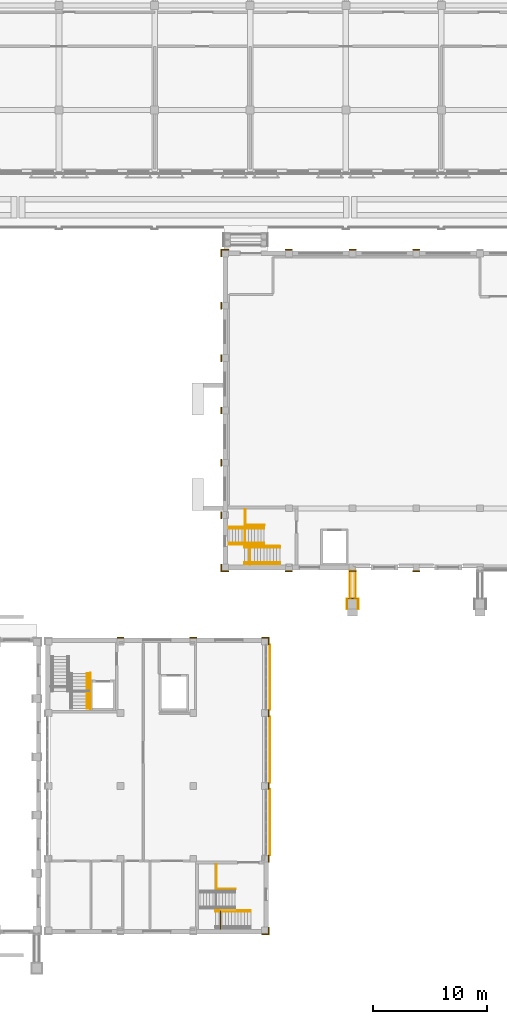
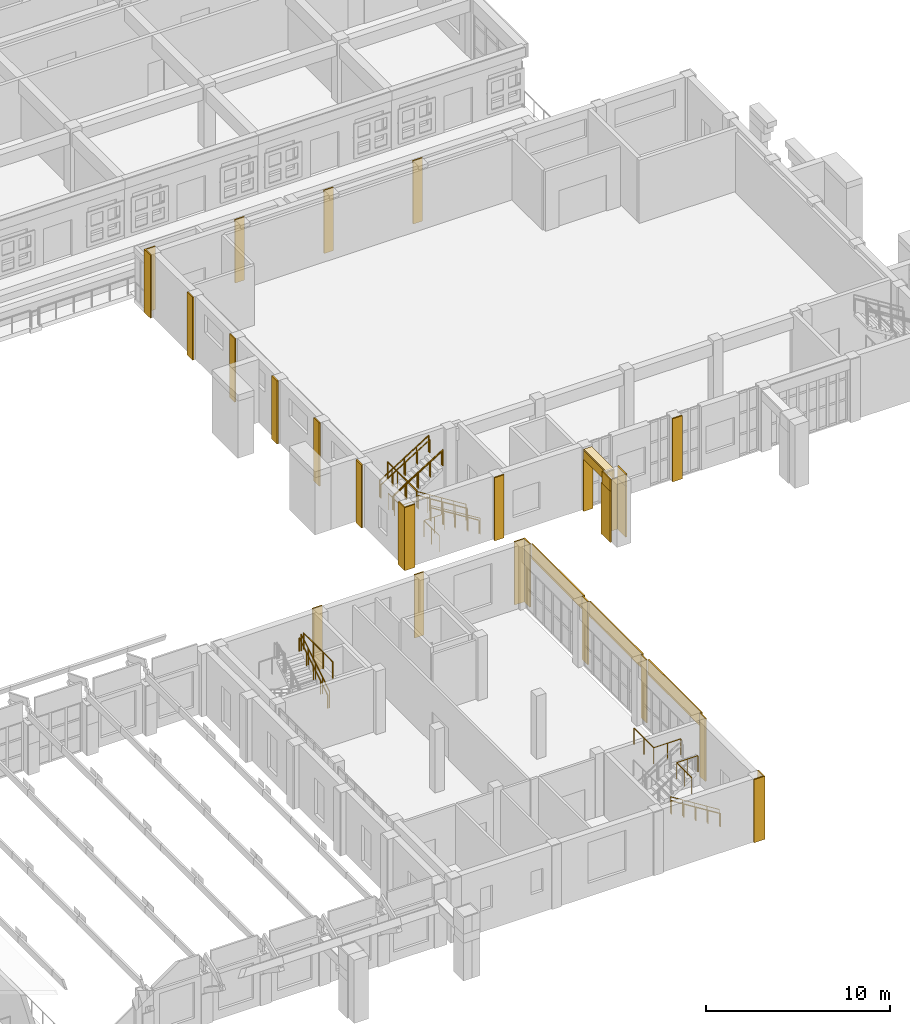
# One storey, part 88 of 99: 29 coverings, 18 railings.
"""IFC4 building model written with IfcOpenShell, lengths in metres."""

from ifc_helpers import new_model, si_unit, direction, frame, origin, origin_2d, place, context, subcontext, project, spatial, polyline, circle, outline, extrude, material, layer, layer_set, type_object, element, save


model = new_model("IFC4")

# Units and contexts
model_context = context("Model", 3, precision=1e-05, world=origin(), true_north=direction((0.0, 1.0)))
body_context = subcontext(model_context, "Body", "Model", "MODEL_VIEW")
ifc_project = project(units=[si_unit("LENGTHUNIT", "METRE"), si_unit("AREAUNIT", "SQUARE_METRE"), si_unit("VOLUMEUNIT", "CUBIC_METRE"), si_unit("PLANEANGLEUNIT", "RADIAN"), si_unit("MASSUNIT", "GRAM", prefix="KILO")], contexts=[model_context])

# Site, building, storey
site_placement = place(None, origin())
site = spatial("IfcSite", under=ifc_project, at=site_placement, CompositionType="ELEMENT")
building_placement = place(site_placement, origin())
building = spatial("IfcBuilding", under=site, at=building_placement, Name="Wasatch Bagh Community Centre", CompositionType="ELEMENT")
storey_placement = place(building_placement, frame((0.0, 0.0, 4.199951171875)))
storey = spatial("IfcBuildingStorey", under=building, at=storey_placement, Name="L01", CompositionType="ELEMENT", Elevation=4.199951171875)

# Coverings
ifc_material_1 = material(Name="Cast stone cladding", Category="masonry")
ifc_layer_1 = layer(ifc_material_1, 0.080078125)
ifc_layer_set_1 = layer_set([ifc_layer_1], Name="Cast stone cladding")
covering_type_1 = type_object("IfcCoveringType", Name="CL-B7 beam facing", PredefinedType="CLADDING", material=ifc_layer_set_1)
covering_1_placement = place(storey_placement, frame((0.0, 0.0, 3.199951171875)))
element("IfcCovering", 1, at=covering_1_placement, inside=storey, type_object=covering_type_1, Name="Beam facing", PredefinedType="CLADDING", context=body_context, shape_type="SweptSolid", body=[
    extrude(outline(polyline([(116.10009765625, 12.89990234375), (116.10009765625, 18.699951171875), (116.179931640625, 18.699951171875), (116.179931640625, 12.89990234375), (116.10009765625, 12.89990234375)])), origin(), (0.0, 0.0, 1.0), 1.0),
])
covering_2_placement = place(storey_placement, frame((0.0, 0.0, 3.199951171875)))
element("IfcCovering", 2, at=covering_2_placement, inside=storey, type_object=covering_type_1, Name="Beam facing", PredefinedType="CLADDING", context=body_context, shape_type="SweptSolid", body=[
    extrude(outline(polyline([(116.10009765625, 19.300048828125), (116.10009765625, 25.10009765625), (116.179931640625, 25.10009765625), (116.179931640625, 19.300048828125), (116.10009765625, 19.300048828125)])), origin(), (0.0, 0.0, 1.0), 1.0),
])
covering_3_placement = place(storey_placement, frame((0.0, 0.0, 3.199951171875)))
element("IfcCovering", 3, at=covering_3_placement, inside=storey, type_object=covering_type_1, Name="Beam facing", PredefinedType="CLADDING", context=body_context, shape_type="SweptSolid", body=[
    extrude(outline(polyline([(116.10009765625, 25.699951171875), (116.10009765625, 31.39990234375), (116.179931640625, 31.39990234375), (116.179931640625, 25.699951171875), (116.10009765625, 25.699951171875)])), origin(), (0.0, 0.0, 1.0), 1.0),
])
covering_4_placement = place(storey_placement, frame((0.0, 0.0, 3.400146484375)))
element("IfcCovering", 4, at=covering_4_placement, inside=storey, type_object=covering_type_1, Name="Beam facing", PredefinedType="CLADDING", context=body_context, shape_type="SweptSolid", body=[
    extrude(outline(polyline([(123.574951171875, 37.89990234375), (123.574951171875, 35.449951171875), (123.655029296875, 35.449951171875), (123.655029296875, 37.89990234375), (123.574951171875, 37.89990234375)])), origin(), (0.0, 0.0, 1.0), 0.599853515625),
])
covering_5_placement = place(storey_placement, frame((0.0, 0.0, 3.400146484375)))
element("IfcCovering", 5, at=covering_5_placement, inside=storey, type_object=covering_type_1, Name="Beam facing", PredefinedType="CLADDING", context=body_context, shape_type="SweptSolid", body=[
    extrude(outline(polyline([(123.22509765625, 37.89990234375), (123.22509765625, 35.449951171875), (123.14501953125, 35.449951171875), (123.14501953125, 37.89990234375), (123.22509765625, 37.89990234375)])), origin(), (0.0, 0.0, 1.0), 0.599853515625),
])
covering_6_placement = place(storey_placement, frame((0.0, 0.0, 4.0)))
element("IfcCovering", 6, at=covering_6_placement, inside=storey, type_object=covering_type_1, Name="Beam facing", PredefinedType="CLADDING", context=body_context, shape_type="SweptSolid", body=[
    extrude(outline(polyline([(123.14501953125, 37.89990234375), (123.14501953125, 35.449951171875), (123.655029296875, 35.449951171875), (123.655029296875, 37.89990234375), (123.14501953125, 37.89990234375)])), origin(), (0.0, 0.0, 1.0), 0.080078125),
])
ifc_layer_2 = layer(ifc_material_1, 0.080078125)
ifc_layer_set_2 = layer_set([ifc_layer_2], Name="Cast stone cladding")
covering_type_2 = type_object("IfcCoveringType", Name="CL-C1 column facing", PredefinedType="CLADDING", material=ifc_layer_set_2)
covering_7_placement = place(storey_placement, origin())
element("IfcCovering", 7, at=covering_7_placement, inside=storey, type_object=covering_type_2, Name="Column facing", PredefinedType="CLADDING", context=body_context, shape_type="SweptSolid", body=[
    extrude(outline(polyline([(122.8701171875, 34.550048828125), (122.8701171875, 35.530029296875), (123.929931640625, 35.530029296875), (123.929931640625, 34.550048828125), (123.85009765625, 34.550048828125), (123.85009765625, 35.449951171875), (122.949951171875, 35.449951171875), (122.949951171875, 34.550048828125), (122.8701171875, 34.550048828125)])), origin(), (0.0, 0.0, 1.0), 3.400146484375),
])
covering_8_placement = place(storey_placement, frame((0.0, 0.0, 3.400146484375)))
element("IfcCovering", 8, at=covering_8_placement, inside=storey, type_object=covering_type_2, Name="Column facing", PredefinedType="CLADDING", context=body_context, shape_type="SweptSolid", body=[
    extrude(outline(polyline([(123.85009765625, 35.449951171875), (123.929931640625, 35.449951171875), (123.929931640625, 34.550048828125), (123.85009765625, 34.550048828125), (123.85009765625, 35.449951171875)])), origin(), (0.0, 0.0, 1.0), 0.7998046875),
])
covering_9_placement = place(storey_placement, frame((0.0, 0.0, 3.400146484375)))
element("IfcCovering", 9, at=covering_9_placement, inside=storey, type_object=covering_type_2, Name="Column facing", PredefinedType="CLADDING", context=body_context, shape_type="SweptSolid", body=[
    extrude(outline(polyline([(122.949951171875, 34.550048828125), (122.8701171875, 34.550048828125), (122.8701171875, 35.449951171875), (122.949951171875, 35.449951171875), (122.949951171875, 34.550048828125)])), origin(), (0.0, 0.0, 1.0), 0.7998046875),
])
covering_10_placement = place(storey_placement, origin())
element("IfcCovering", 10, at=covering_10_placement, inside=storey, type_object=covering_type_2, Name="Column facing", PredefinedType="CLADDING", context=body_context, shape_type="SweptSolid", body=[
    extrude(outline(polyline([(103.300048828125, 32.0), (102.699951171875, 32.0), (102.699951171875, 32.080078125), (103.300048828125, 32.080078125), (103.300048828125, 32.0)])), origin(), (0.0, 0.0, 1.0), 4.199951171875),
])
covering_11_placement = place(storey_placement, origin())
element("IfcCovering", 11, at=covering_11_placement, inside=storey, type_object=covering_type_2, Name="Column facing", PredefinedType="CLADDING", context=body_context, shape_type="SweptSolid", body=[
    extrude(outline(polyline([(109.699951171875, 32.0), (109.10009765625, 32.0), (109.10009765625, 32.080078125), (109.699951171875, 32.080078125), (109.699951171875, 32.0)])), origin(), (0.0, 0.0, 1.0), 4.199951171875),
])
covering_12_placement = place(storey_placement, origin())
element("IfcCovering", 12, at=covering_12_placement, inside=storey, type_object=covering_type_2, Name="Column facing", PredefinedType="CLADDING", context=body_context, shape_type="SweptSolid", body=[
    extrude(outline(polyline([(116.0, 6.0), (116.0, 6.60009765625), (116.080078125, 6.60009765625), (116.080078125, 5.919921875), (115.39990234375, 5.919921875), (115.39990234375, 6.0), (116.0, 6.0)])), origin(), (0.0, 0.0, 1.0), 4.199951171875),
])
covering_13_placement = place(storey_placement, origin())
element("IfcCovering", 13, at=covering_13_placement, inside=storey, type_object=covering_type_2, Name="Column facing", PredefinedType="CLADDING", context=body_context, shape_type="SweptSolid", body=[
    extrude(outline(polyline([(116.0, 12.300048828125), (116.0, 12.89990234375), (116.080078125, 12.89990234375), (116.080078125, 12.300048828125), (116.0, 12.300048828125)])), origin(), (0.0, 0.0, 1.0), 4.199951171875),
])
covering_14_placement = place(storey_placement, origin())
element("IfcCovering", 14, at=covering_14_placement, inside=storey, type_object=covering_type_2, Name="Column facing", PredefinedType="CLADDING", context=body_context, shape_type="SweptSolid", body=[
    extrude(outline(polyline([(116.0, 18.699951171875), (116.0, 19.300048828125), (116.080078125, 19.300048828125), (116.080078125, 18.699951171875), (116.0, 18.699951171875)])), origin(), (0.0, 0.0, 1.0), 4.199951171875),
])
covering_15_placement = place(storey_placement, origin())
element("IfcCovering", 15, at=covering_15_placement, inside=storey, type_object=covering_type_2, Name="Column facing", PredefinedType="CLADDING", context=body_context, shape_type="SweptSolid", body=[
    extrude(outline(polyline([(116.0, 25.10009765625), (116.0, 25.699951171875), (116.080078125, 25.699951171875), (116.080078125, 25.10009765625), (116.0, 25.10009765625)])), origin(), (0.0, 0.0, 1.0), 4.199951171875),
])
covering_16_placement = place(storey_placement, origin())
element("IfcCovering", 16, at=covering_16_placement, inside=storey, type_object=covering_type_2, Name="Column facing", PredefinedType="CLADDING", context=body_context, shape_type="SweptSolid", body=[
    extrude(outline(polyline([(116.0, 32.0), (115.39990234375, 32.0), (115.39990234375, 32.080078125), (116.080078125, 32.080078125), (116.080078125, 31.39990234375), (116.0, 31.39990234375), (116.0, 32.0)])), origin(), (0.0, 0.0, 1.0), 4.199951171875),
])
covering_17_placement = place(storey_placement, origin())
element("IfcCovering", 17, at=covering_17_placement, inside=storey, type_object=covering_type_2, Name="Column facing", PredefinedType="CLADDING", context=body_context, shape_type="SweptSolid", body=[
    extrude(outline(polyline([(111.820068359375, 37.820068359375), (111.820068359375, 38.5), (111.89990234375, 38.5), (111.89990234375, 37.89990234375), (112.5, 37.89990234375), (112.5, 37.820068359375), (111.820068359375, 37.820068359375)])), origin(), (0.0, 0.0, 1.0), 4.199951171875),
])
covering_18_placement = place(storey_placement, origin())
element("IfcCovering", 18, at=covering_18_placement, inside=storey, type_object=covering_type_2, Name="Column facing", PredefinedType="CLADDING", context=body_context, shape_type="SweptSolid", body=[
    extrude(outline(polyline([(117.5, 37.89990234375), (118.10009765625, 37.89990234375), (118.10009765625, 37.820068359375), (117.5, 37.820068359375), (117.5, 37.89990234375)])), origin(), (0.0, 0.0, 1.0), 4.199951171875),
])
covering_19_placement = place(storey_placement, origin())
element("IfcCovering", 19, at=covering_19_placement, inside=storey, type_object=covering_type_2, Name="Column facing", PredefinedType="CLADDING", context=body_context, shape_type="SweptSolid", body=[
    extrude(outline(polyline([(123.10009765625, 37.89990234375), (123.699951171875, 37.89990234375), (123.699951171875, 37.820068359375), (123.10009765625, 37.820068359375), (123.10009765625, 37.89990234375)])), origin(), (0.0, 0.0, 1.0), 3.400146484375),
])
covering_20_placement = place(storey_placement, origin())
element("IfcCovering", 20, at=covering_20_placement, inside=storey, type_object=covering_type_2, Name="Column facing", PredefinedType="CLADDING", context=body_context, shape_type="SweptSolid", body=[
    extrude(outline(polyline([(128.699951171875, 37.89990234375), (129.300048828125, 37.89990234375), (129.300048828125, 37.820068359375), (128.699951171875, 37.820068359375), (128.699951171875, 37.89990234375)])), origin(), (0.0, 0.0, 1.0), 4.199951171875),
])
covering_21_placement = place(storey_placement, frame((0.0, 0.0, 0.008056640625)))
element("IfcCovering", 21, at=covering_21_placement, inside=storey, type_object=covering_type_2, Name="Column facing", PredefinedType="CLADDING", context=body_context, shape_type="SweptSolid", body=[
    extrude(outline(polyline([(111.89990234375, 65.5), (111.820068359375, 65.5), (111.820068359375, 66.179931640625), (112.5, 66.179931640625), (112.5, 66.10009765625), (111.89990234375, 66.10009765625), (111.89990234375, 65.5)])), origin(), (0.0, 0.0, 1.0), 4.19189453125),
])
covering_22_placement = place(storey_placement, origin())
element("IfcCovering", 22, at=covering_22_placement, inside=storey, type_object=covering_type_2, Name="Column facing", PredefinedType="CLADDING", context=body_context, shape_type="SweptSolid", body=[
    extrude(outline(polyline([(118.10009765625, 66.10009765625), (117.5, 66.10009765625), (117.5, 66.179931640625), (118.10009765625, 66.179931640625), (118.10009765625, 66.10009765625)])), origin(), (0.0, 0.0, 1.0), 4.199951171875),
])
covering_23_placement = place(storey_placement, origin())
element("IfcCovering", 23, at=covering_23_placement, inside=storey, type_object=covering_type_2, Name="Column facing", PredefinedType="CLADDING", context=body_context, shape_type="SweptSolid", body=[
    extrude(outline(polyline([(123.699951171875, 66.10009765625), (123.10009765625, 66.10009765625), (123.10009765625, 66.179931640625), (123.699951171875, 66.179931640625), (123.699951171875, 66.10009765625)])), origin(), (0.0, 0.0, 1.0), 4.199951171875),
])
covering_24_placement = place(storey_placement, origin())
element("IfcCovering", 24, at=covering_24_placement, inside=storey, type_object=covering_type_2, Name="Column facing", PredefinedType="CLADDING", context=body_context, shape_type="SweptSolid", body=[
    extrude(outline(polyline([(129.300048828125, 66.10009765625), (128.699951171875, 66.10009765625), (128.699951171875, 66.179931640625), (129.300048828125, 66.179931640625), (129.300048828125, 66.10009765625)])), origin(), (0.0, 0.0, 1.0), 4.199951171875),
])
covering_25_placement = place(storey_placement, origin())
element("IfcCovering", 25, at=covering_25_placement, inside=storey, type_object=covering_type_2, Name="Column facing", PredefinedType="CLADDING", context=body_context, shape_type="SweptSolid", body=[
    extrude(outline(polyline([(111.89990234375, 43.10009765625), (111.89990234375, 42.5), (111.820068359375, 42.5), (111.820068359375, 43.10009765625), (111.89990234375, 43.10009765625)])), origin(), (0.0, 0.0, 1.0), 4.199951171875),
])
covering_26_placement = place(storey_placement, origin())
element("IfcCovering", 26, at=covering_26_placement, inside=storey, type_object=covering_type_2, Name="Column facing", PredefinedType="CLADDING", context=body_context, shape_type="SweptSolid", body=[
    extrude(outline(polyline([(111.89990234375, 47.699951171875), (111.89990234375, 47.10009765625), (111.820068359375, 47.10009765625), (111.820068359375, 47.699951171875), (111.89990234375, 47.699951171875)])), origin(), (0.0, 0.0, 1.0), 4.199951171875),
])
covering_27_placement = place(storey_placement, origin())
element("IfcCovering", 27, at=covering_27_placement, inside=storey, type_object=covering_type_2, Name="Column facing", PredefinedType="CLADDING", context=body_context, shape_type="SweptSolid", body=[
    extrude(outline(polyline([(111.89990234375, 52.300048828125), (111.89990234375, 51.699951171875), (111.820068359375, 51.699951171875), (111.820068359375, 52.300048828125), (111.89990234375, 52.300048828125)])), origin(), (0.0, 0.0, 1.0), 4.199951171875),
])
covering_28_placement = place(storey_placement, origin())
element("IfcCovering", 28, at=covering_28_placement, inside=storey, type_object=covering_type_2, Name="Column facing", PredefinedType="CLADDING", context=body_context, shape_type="SweptSolid", body=[
    extrude(outline(polyline([(111.89990234375, 56.89990234375), (111.89990234375, 56.300048828125), (111.820068359375, 56.300048828125), (111.820068359375, 56.89990234375), (111.89990234375, 56.89990234375)])), origin(), (0.0, 0.0, 1.0), 4.199951171875),
])
covering_29_placement = place(storey_placement, origin())
element("IfcCovering", 29, at=covering_29_placement, inside=storey, type_object=covering_type_2, Name="Column facing", PredefinedType="CLADDING", context=body_context, shape_type="SweptSolid", body=[
    extrude(outline(polyline([(111.89990234375, 61.5), (111.89990234375, 60.89990234375), (111.820068359375, 60.89990234375), (111.820068359375, 61.5), (111.89990234375, 61.5)])), origin(), (0.0, 0.0, 1.0), 4.199951171875),
])

# Railings
ifc_material_2 = material(Name="ASTM A36 steel", Category="steel")
railing_type_1 = type_object("IfcRailingType", Name="KW guard", PredefinedType="GUARDRAIL", material=ifc_material_2)
railing_1_placement = place(storey_placement, frame((100.169921875, 25.800048828125, 2.275146484375)))
element("IfcRailing", 30, at=railing_1_placement, inside=storey, type_object=railing_type_1, Name="GUARD ST4", PredefinedType="GUARDRAIL", context=body_context, shape_type="SweptSolid", body=[
    extrude(circle(Radius=0.02392578125, at=origin_2d()), frame((0.0, 0.0, 1.076171875), z_axis=(0.0, 0.848009633417, 0.529980812513), x_axis=(-1.0, 0.0, 0.0)), (0.0, 0.0, 1.0), 3.6318359375),
    extrude(circle(Radius=0.02099609375, at=origin_2d()), origin(), (0.0, 0.0, 1.0), 1.052001953125),
    extrude(circle(Radius=0.02099609375, at=origin_2d()), frame((0.0, 0.77001953125, 0.481201171875)), (0.0, 0.0, 1.0), 1.052001953125),
    extrude(circle(Radius=0.02099609375, at=origin_2d()), frame((0.0, 1.5400390625, 0.96240234375)), (0.0, 0.0, 1.0), 1.052001953125),
    extrude(circle(Radius=0.02099609375, at=origin_2d()), frame((0.0, 2.309814453125, 1.443603515625)), (0.0, 0.0, 1.0), 1.052001953125),
    extrude(circle(Radius=0.02099609375, at=origin_2d()), frame((0.0, 3.079833984375, 1.9248046875)), (0.0, 0.0, 1.0), 1.052001953125),
])
railing_2_placement = place(storey_placement, frame((100.35009765625, 28.929931640625, 4.199951171875)))
element("IfcRailing", 31, at=railing_2_placement, inside=storey, type_object=railing_type_1, Name="GUARD ST4", PredefinedType="GUARDRAIL", context=body_context, shape_type="SweptSolid", body=[
    extrude(circle(Radius=0.02392578125, at=origin_2d()), frame((0.0, 0.0, 1.076171875), z_axis=(0.0, -1.0, 0.0), x_axis=(1.0, 0.0, 0.0)), (0.0, 0.0, 1.0), 3.179931640625),
    extrude(circle(Radius=0.02099609375, at=origin_2d()), origin(), (0.0, 0.0, 1.0), 1.052001953125),
    extrude(circle(Radius=0.02099609375, at=origin_2d()), frame((0.0, -1.06005859375, 0.0)), (0.0, 0.0, 1.0), 1.052001953125),
    extrude(circle(Radius=0.02099609375, at=origin_2d()), frame((0.0, -2.119873046875, 0.0)), (0.0, 0.0, 1.0), 1.052001953125),
    extrude(circle(Radius=0.02099609375, at=origin_2d()), frame((0.0, -3.179931640625, 0.0)), (0.0, 0.0, 1.0), 1.052001953125),
])
railing_3_placement = place(storey_placement, frame((114.449951171875, 8.070068359375, 0.175048828125)))
element("IfcRailing", 32, at=railing_3_placement, inside=storey, type_object=railing_type_1, Name="GUARD ST5", PredefinedType="GUARDRAIL", context=body_context, shape_type="SweptSolid", body=[
    extrude(circle(Radius=0.02392578125, at=origin_2d()), frame((0.0, 0.0, 1.076171875), z_axis=(-0.847979421464, 0.0, 0.530029150871), x_axis=(0.0, -1.0, 0.0)), (0.0, 0.0, 1.0), 3.632080078125),
    extrude(circle(Radius=0.02099609375, at=origin_2d()), origin(), (0.0, 0.0, 1.0), 1.052001953125),
    extrude(circle(Radius=0.02099609375, at=origin_2d()), frame((-0.77001953125, 0.0, 0.481201171875)), (0.0, 0.0, 1.0), 1.052001953125),
    extrude(circle(Radius=0.02099609375, at=origin_2d()), frame((-1.5400390625, 0.0, 0.96240234375)), (0.0, 0.0, 1.0), 1.052001953125),
    extrude(circle(Radius=0.02099609375, at=origin_2d()), frame((-2.309814453125, 0.0, 1.44384765625)), (0.0, 0.0, 1.0), 1.052001953125),
    extrude(circle(Radius=0.02099609375, at=origin_2d()), frame((-3.079833984375, 0.0, 1.925048828125)), (0.0, 0.0, 1.0), 1.052001953125),
])
railing_4_placement = place(storey_placement, frame((111.7880859375, 6.449951171875, 4.199951171875)))
element("IfcRailing", 33, at=railing_4_placement, inside=storey, type_object=railing_type_1, Name="GUARD ST5", PredefinedType="GUARDRAIL", context=body_context, shape_type="SweptSolid", body=[
    extrude(circle(Radius=0.02392578125, at=origin_2d()), frame((0.0, 0.0, 1.076171875), z_axis=(0.0, 1.0, 0.0), x_axis=(-1.0, 0.0, 0.0)), (0.0, 0.0, 1.0), 1.650146484375),
    extrude(circle(Radius=0.02392578125, at=origin_2d()), frame((0.0, 1.650146484375, 1.076171875), z_axis=(1.0, 0.0, 0.0), x_axis=(0.0, 1.0, 0.0)), (0.0, 0.0, 1.0), 1.341796875),
    extrude(circle(Radius=0.02099609375, at=origin_2d()), origin(), (0.0, 0.0, 1.0), 1.052001953125),
    extrude(circle(Radius=0.02099609375, at=origin_2d()), frame((0.0, 0.8251953125, 0.0)), (0.0, 0.0, 1.0), 1.052001953125),
    extrude(circle(Radius=0.02099609375, at=origin_2d()), frame((0.0, 1.650146484375, 0.0)), (0.0, 0.0, 1.0), 1.052001953125),
    extrude(circle(Radius=0.02099609375, at=origin_2d()), frame((0.6708984375, 1.650146484375, 0.0)), (0.0, 0.0, 1.0), 1.052001953125),
    extrude(circle(Radius=0.02099609375, at=origin_2d()), frame((1.341796875, 1.650146484375, 0.0)), (0.0, 0.0, 1.0), 1.052001953125),
])
railing_5_placement = place(storey_placement, frame((111.419921875, 12.10009765625, 4.199951171875)))
element("IfcRailing", 34, at=railing_5_placement, inside=storey, type_object=railing_type_1, Name="GUARD ST5", PredefinedType="GUARDRAIL", context=body_context, shape_type="SweptSolid", body=[
    extrude(circle(Radius=0.02392578125, at=origin_2d()), frame((0.0, 0.0, 1.076171875), z_axis=(0.0, -1.0, 0.0), x_axis=(1.0, 0.0, 0.0)), (0.0, 0.0, 1.0), 2.150146484375),
    extrude(circle(Radius=0.02392578125, at=origin_2d()), frame((0.0, -2.150146484375, 1.076171875), z_axis=(1.0, 0.0, 0.0), x_axis=(0.0, 1.0, 0.0)), (0.0, 0.0, 1.0), 1.7099609375),
    extrude(circle(Radius=0.02099609375, at=origin_2d()), origin(), (0.0, 0.0, 1.0), 1.052001953125),
    extrude(circle(Radius=0.02099609375, at=origin_2d()), frame((0.0, -1.0751953125, 0.0)), (0.0, 0.0, 1.0), 1.052001953125),
    extrude(circle(Radius=0.02099609375, at=origin_2d()), frame((0.0, -2.150146484375, 0.0)), (0.0, 0.0, 1.0), 1.052001953125),
    extrude(circle(Radius=0.02099609375, at=origin_2d()), frame((0.85498046875, -2.150146484375, 0.0)), (0.0, 0.0, 1.0), 1.052001953125),
    extrude(circle(Radius=0.02099609375, at=origin_2d()), frame((1.7099609375, -2.150146484375, 0.0)), (0.0, 0.0, 1.0), 1.052001953125),
])
railing_type_2 = type_object("IfcRailingType", Name="KW handrail", PredefinedType="HANDRAIL", material=ifc_material_2)
railing_6_placement = place(storey_placement, frame((100.050048828125, 25.800048828125, 2.275146484375)))
element("IfcRailing", 35, at=railing_6_placement, inside=storey, type_object=railing_type_2, Name="HANDRAIL ST4", PredefinedType="HANDRAIL", context=body_context, shape_type="SweptSolid", body=[
    extrude(circle(Radius=0.02392578125, at=origin_2d()), frame((0.0, 0.0, 0.8759765625), z_axis=(0.0, 0.848009633417, 0.529980812513), x_axis=(-1.0, 0.0, 0.0)), (0.0, 0.0, 1.0), 3.6318359375),
    extrude(circle(Radius=0.02099609375, at=origin_2d()), origin(), (0.0, 0.0, 1.0), 0.851806640625),
    extrude(circle(Radius=0.02099609375, at=origin_2d()), frame((0.0, 0.77001953125, 0.481201171875)), (0.0, 0.0, 1.0), 0.851806640625),
    extrude(circle(Radius=0.02099609375, at=origin_2d()), frame((0.0, 1.5400390625, 0.96240234375)), (0.0, 0.0, 1.0), 0.851806640625),
    extrude(circle(Radius=0.02099609375, at=origin_2d()), frame((0.0, 2.309814453125, 1.443603515625)), (0.0, 0.0, 1.0), 0.851806640625),
    extrude(circle(Radius=0.02099609375, at=origin_2d()), frame((0.0, 3.079833984375, 1.9248046875)), (0.0, 0.0, 1.0), 0.851806640625),
])
railing_7_placement = place(storey_placement, frame((114.449951171875, 7.949951171875, 0.175048828125)))
element("IfcRailing", 36, at=railing_7_placement, inside=storey, type_object=railing_type_2, Name="HANDRAIL ST5", PredefinedType="HANDRAIL", context=body_context, shape_type="SweptSolid", body=[
    extrude(circle(Radius=0.02392578125, at=origin_2d()), frame((0.0, 0.0, 0.8759765625), z_axis=(-0.847979421464, 0.0, 0.530029150871), x_axis=(0.0, -1.0, 0.0)), (0.0, 0.0, 1.0), 3.632080078125),
    extrude(circle(Radius=0.02099609375, at=origin_2d()), origin(), (0.0, 0.0, 1.0), 0.851806640625),
    extrude(circle(Radius=0.02099609375, at=origin_2d()), frame((-0.77001953125, 0.0, 0.481201171875)), (0.0, 0.0, 1.0), 0.851806640625),
    extrude(circle(Radius=0.02099609375, at=origin_2d()), frame((-1.5400390625, 0.0, 0.96240234375)), (0.0, 0.0, 1.0), 0.851806640625),
    extrude(circle(Radius=0.02099609375, at=origin_2d()), frame((-2.309814453125, 0.0, 1.44384765625)), (0.0, 0.0, 1.0), 0.851806640625),
    extrude(circle(Radius=0.02099609375, at=origin_2d()), frame((-3.079833984375, 0.0, 1.925048828125)), (0.0, 0.0, 1.0), 0.851806640625),
])
railing_type_3 = type_object("IfcRailingType", Name="SH guard", PredefinedType="GUARDRAIL", material=ifc_material_2)
railing_8_placement = place(storey_placement, frame((114.3701171875, 38.449951171875, 0.0)))
element("IfcRailing", 37, at=railing_8_placement, inside=storey, type_object=railing_type_3, Name="GUARD ST1", PredefinedType="GUARDRAIL", context=body_context, shape_type="SweptSolid", body=[
    extrude(circle(Radius=0.02392578125, at=origin_2d()), frame((0.0, 0.0, 1.076171875), z_axis=(0.0, 1.0, 0.0), x_axis=(-1.0, 0.0, 0.0)), (0.0, 0.0, 1.0), 1.650146484375),
    extrude(circle(Radius=0.02392578125, at=origin_2d()), frame((0.0, 1.650146484375, 1.076171875), z_axis=(1.0, 0.0, 0.0), x_axis=(0.0, 1.0, 0.0)), (0.0, 0.0, 1.0), 1.309814453125),
    extrude(circle(Radius=0.02099609375, at=origin_2d()), origin(), (0.0, 0.0, 1.0), 1.052001953125),
    extrude(circle(Radius=0.02099609375, at=origin_2d()), frame((0.0, 0.8251953125, 0.0)), (0.0, 0.0, 1.0), 1.052001953125),
    extrude(circle(Radius=0.02099609375, at=origin_2d()), frame((0.0, 1.650146484375, 0.0)), (0.0, 0.0, 1.0), 1.052001953125),
    extrude(circle(Radius=0.02099609375, at=origin_2d()), frame((0.65478515625, 1.650146484375, 0.0)), (0.0, 0.0, 1.0), 1.052001953125),
    extrude(circle(Radius=0.02099609375, at=origin_2d()), frame((1.309814453125, 1.650146484375, 0.0)), (0.0, 0.0, 1.0), 1.052001953125),
])
railing_9_placement = place(storey_placement, frame((113.969970703125, 43.300048828125, 0.0)))
element("IfcRailing", 38, at=railing_9_placement, inside=storey, type_object=railing_type_3, Name="GUARD ST1", PredefinedType="GUARDRAIL", context=body_context, shape_type="SweptSolid", body=[
    extrude(circle(Radius=0.02392578125, at=origin_2d()), frame((0.0, 0.0, 1.076171875), z_axis=(0.0, -1.0, 0.0), x_axis=(1.0, 0.0, 0.0)), (0.0, 0.0, 1.0), 1.35009765625),
    extrude(circle(Radius=0.02392578125, at=origin_2d()), frame((0.0, -1.35009765625, 1.076171875), z_axis=(1.0, 0.0, 0.0), x_axis=(0.0, 1.0, 0.0)), (0.0, 0.0, 1.0), 1.7099609375),
    extrude(circle(Radius=0.02099609375, at=origin_2d()), origin(), (0.0, 0.0, 1.0), 1.052001953125),
    extrude(circle(Radius=0.02099609375, at=origin_2d()), frame((0.0, -0.675048828125, 0.0)), (0.0, 0.0, 1.0), 1.052001953125),
    extrude(circle(Radius=0.02099609375, at=origin_2d()), frame((0.0, -1.35009765625, 0.0)), (0.0, 0.0, 1.0), 1.052001953125),
    extrude(circle(Radius=0.02099609375, at=origin_2d()), frame((0.85498046875, -1.35009765625, 0.0)), (0.0, 0.0, 1.0), 1.052001953125),
    extrude(circle(Radius=0.02099609375, at=origin_2d()), frame((1.7099609375, -1.35009765625, 0.0)), (0.0, 0.0, 1.0), 1.052001953125),
])
for number, where, name in (
    (39, (117.0, 38.530029296875, 0.175048828125), "GUARD ST1"),
    (40, (117.0, 40.070068359375, 0.175048828125), "GUARD ST1"),
):
    element("IfcRailing", number, at=place(storey_placement, frame(where)), inside=storey, type_object=railing_type_3, Name=name, PredefinedType="GUARDRAIL", context=body_context, shape_type="SweptSolid", body=[
        extrude(circle(Radius=0.02392578125, at=origin_2d()), frame((0.0, 0.0, 1.076171875), z_axis=(-0.847998304005, 0.0, 0.529998940003), x_axis=(0.0, -1.0, 0.0)), (0.0, 0.0, 1.0), 3.632080078125),
        extrude(circle(Radius=0.02099609375, at=origin_2d()), origin(), (0.0, 0.0, 1.0), 1.052001953125),
        extrude(circle(Radius=0.02099609375, at=origin_2d()), frame((-0.77001953125, 0.0, 0.481201171875)), (0.0, 0.0, 1.0), 1.052001953125),
        extrude(circle(Radius=0.02099609375, at=origin_2d()), frame((-1.5400390625, 0.0, 0.96240234375)), (0.0, 0.0, 1.0), 1.052001953125),
        extrude(circle(Radius=0.02099609375, at=origin_2d()), frame((-2.31005859375, 0.0, 1.44384765625)), (0.0, 0.0, 1.0), 1.052001953125),
        extrude(circle(Radius=0.02099609375, at=origin_2d()), frame((-3.080078125, 0.0, 1.925048828125)), (0.0, 0.0, 1.0), 1.052001953125),
    ])
for number, where, name in (
    (41, (112.550048828125, 41.77001953125, 2.275146484375), "GUARD ST1"),
    (42, (112.550048828125, 40.22998046875, 2.275146484375), "GUARD ST1"),
):
    element("IfcRailing", number, at=place(storey_placement, frame(where)), inside=storey, type_object=railing_type_3, Name=name, PredefinedType="GUARDRAIL", context=body_context, shape_type="SweptSolid", body=[
        extrude(circle(Radius=0.02392578125, at=origin_2d()), frame((0.0, 0.0, 1.076171875), z_axis=(0.848009633417, 0.0, 0.529980812513), x_axis=(0.0, 1.0, 0.0)), (0.0, 0.0, 1.0), 3.6318359375),
        extrude(circle(Radius=0.02099609375, at=origin_2d()), origin(), (0.0, 0.0, 1.0), 1.052001953125),
        extrude(circle(Radius=0.02099609375, at=origin_2d()), frame((0.77001953125, 0.0, 0.481201171875)), (0.0, 0.0, 1.0), 1.052001953125),
        extrude(circle(Radius=0.02099609375, at=origin_2d()), frame((1.5400390625, 0.0, 0.96240234375)), (0.0, 0.0, 1.0), 1.052001953125),
        extrude(circle(Radius=0.02099609375, at=origin_2d()), frame((2.309814453125, 0.0, 1.443603515625)), (0.0, 0.0, 1.0), 1.052001953125),
        extrude(circle(Radius=0.02099609375, at=origin_2d()), frame((3.079833984375, 0.0, 1.9248046875)), (0.0, 0.0, 1.0), 1.052001953125),
    ])
railing_10_placement = place(storey_placement, frame((113.93994140625, 40.14990234375, 2.10009765625)))
element("IfcRailing", 43, at=railing_10_placement, inside=storey, type_object=railing_type_3, Name="GUARD ST1", PredefinedType="GUARDRAIL", context=body_context, shape_type="SweptSolid", body=[
    extrude(circle(Radius=0.02392578125, at=origin_2d()), frame((0.0, 0.0, 1.076171875), z_axis=(0.0, 1.0, 0.0), x_axis=(-1.0, 0.0, 0.0)), (0.0, 0.0, 1.0), 3.150146484375),
    extrude(circle(Radius=0.02099609375, at=origin_2d()), origin(), (0.0, 0.0, 1.0), 1.052001953125),
    extrude(circle(Radius=0.02099609375, at=origin_2d()), frame((0.0, 1.050048828125, 0.0)), (0.0, 0.0, 1.0), 1.052001953125),
    extrude(circle(Radius=0.02099609375, at=origin_2d()), frame((0.0, 2.10009765625, 0.0)), (0.0, 0.0, 1.0), 1.052001953125),
    extrude(circle(Radius=0.02099609375, at=origin_2d()), frame((0.0, 3.150146484375, 0.0)), (0.0, 0.0, 1.0), 1.052001953125),
])
railing_type_4 = type_object("IfcRailingType", Name="SH handrail", PredefinedType="HANDRAIL", material=ifc_material_2)
for number, where, name in (
    (44, (117.0, 38.64990234375, 0.175048828125), "HANDRAIL ST1"),
    (45, (117.0, 39.949951171875, 0.175048828125), "HANDRAIL ST1"),
):
    element("IfcRailing", number, at=place(storey_placement, frame(where)), inside=storey, type_object=railing_type_4, Name=name, PredefinedType="HANDRAIL", context=body_context, shape_type="SweptSolid", body=[
        extrude(circle(Radius=0.02392578125, at=origin_2d()), frame((0.0, 0.0, 0.8759765625), z_axis=(-0.847998304005, 0.0, 0.529998940003), x_axis=(0.0, -1.0, 0.0)), (0.0, 0.0, 1.0), 3.632080078125),
        extrude(circle(Radius=0.02099609375, at=origin_2d()), origin(), (0.0, 0.0, 1.0), 0.851806640625),
        extrude(circle(Radius=0.02099609375, at=origin_2d()), frame((-0.77001953125, 0.0, 0.481201171875)), (0.0, 0.0, 1.0), 0.851806640625),
        extrude(circle(Radius=0.02099609375, at=origin_2d()), frame((-1.5400390625, 0.0, 0.96240234375)), (0.0, 0.0, 1.0), 0.851806640625),
        extrude(circle(Radius=0.02099609375, at=origin_2d()), frame((-2.31005859375, 0.0, 1.44384765625)), (0.0, 0.0, 1.0), 0.851806640625),
        extrude(circle(Radius=0.02099609375, at=origin_2d()), frame((-3.080078125, 0.0, 1.925048828125)), (0.0, 0.0, 1.0), 0.851806640625),
    ])
for number, where, name in (
    (46, (112.550048828125, 41.64990234375, 2.275146484375), "HANDRAIL ST1"),
    (47, (112.550048828125, 40.35009765625, 2.275146484375), "HANDRAIL ST1"),
):
    element("IfcRailing", number, at=place(storey_placement, frame(where)), inside=storey, type_object=railing_type_4, Name=name, PredefinedType="HANDRAIL", context=body_context, shape_type="SweptSolid", body=[
        extrude(circle(Radius=0.02392578125, at=origin_2d()), frame((0.0, 0.0, 0.8759765625), z_axis=(0.848009633417, 0.0, 0.529980812513), x_axis=(0.0, 1.0, 0.0)), (0.0, 0.0, 1.0), 3.6318359375),
        extrude(circle(Radius=0.02099609375, at=origin_2d()), origin(), (0.0, 0.0, 1.0), 0.851806640625),
        extrude(circle(Radius=0.02099609375, at=origin_2d()), frame((0.77001953125, 0.0, 0.481201171875)), (0.0, 0.0, 1.0), 0.851806640625),
        extrude(circle(Radius=0.02099609375, at=origin_2d()), frame((1.5400390625, 0.0, 0.96240234375)), (0.0, 0.0, 1.0), 0.851806640625),
        extrude(circle(Radius=0.02099609375, at=origin_2d()), frame((2.309814453125, 0.0, 1.443603515625)), (0.0, 0.0, 1.0), 0.851806640625),
        extrude(circle(Radius=0.02099609375, at=origin_2d()), frame((3.079833984375, 0.0, 1.9248046875)), (0.0, 0.0, 1.0), 0.851806640625),
    ])

save(model, "model.ifc")
